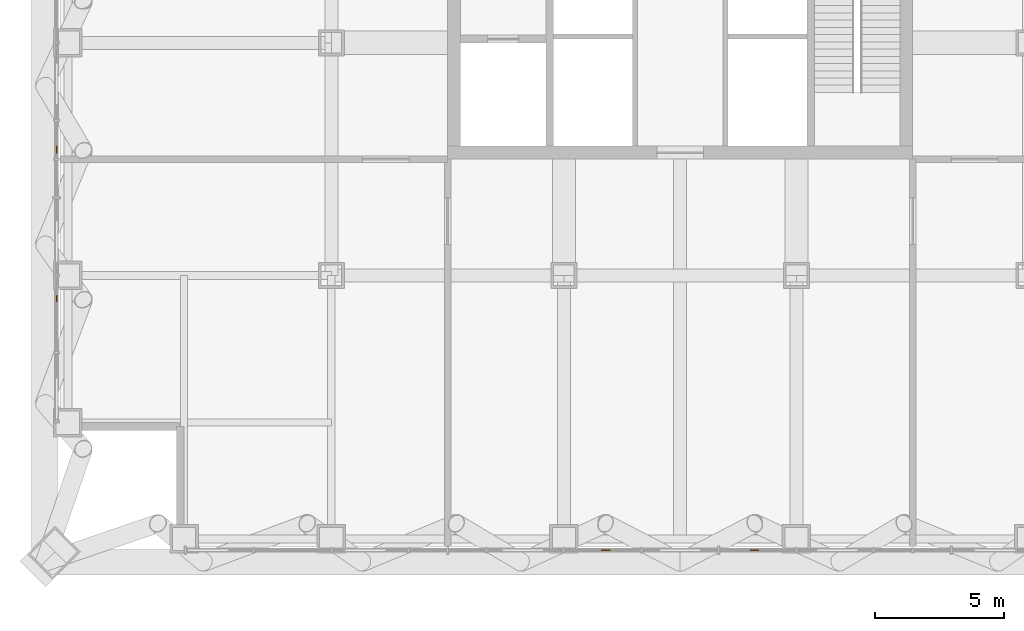
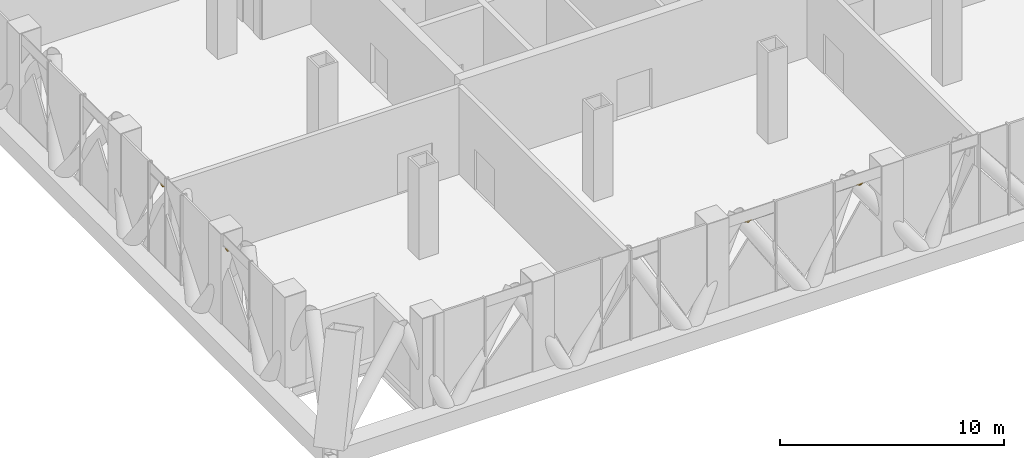
# One storey, part 21 of 29: 4 coverings.
"""IFC4 building model written with IfcOpenShell, lengths in metres."""

import ifcopenshell
import ifcopenshell.guid

model = None  # the IFC model being written
_history = None  # IfcOwnerHistory: only IFC2X3 demands one
_inside = {}  # id of a spatial element -> (the spatial element, [elements in it])
_under = {}  # id of a project, library or spatial element -> (it, [spatial elements below it])
_declared = {}  # id of a project -> (the project, [libraries it declares])
_typed = {}  # id of a type object -> (the type object, [elements of that type])
_made_of = {}  # id of a material, layer set ... -> (it, [elements and type objects made of it])


def new_model(schema):
    """Start an empty IFC model of exactly this schema.

    Asked for "IFC4X3", IfcOpenShell would pick the latest addendum, in which some entities
    have other attributes; the version numbers below select the first issue.
    IFC2X3 requires an IfcOwnerHistory on every rooted entity: one is made here for all.
    """
    global model, _history
    if schema == "IFC4X3":
        model = ifcopenshell.file(schema_version=(4, 3, 0, 0))
    else:
        model = ifcopenshell.file(schema=schema)
    _inside.clear()
    _under.clear()
    _declared.clear()
    _typed.clear()
    _made_of.clear()
    _history = None
    if model.schema == "IFC2X3":
        org = make("IfcOrganization", Name="unknown")
        user = make(
            "IfcPersonAndOrganization",
            ThePerson=make("IfcPerson", FamilyName="unknown"),
            TheOrganization=org,
        )
        app = make(
            "IfcApplication",
            ApplicationDeveloper=org,
            Version="unknown",
            ApplicationFullName="unknown",
            ApplicationIdentifier="unknown",
        )
        _history = make(
            "IfcOwnerHistory",
            OwningUser=user,
            OwningApplication=app,
            ChangeAction="ADDED",
            CreationDate=0,
        )
    return model


def make(cls, **values):
    """One entity of the class cls with the attributes given. An attribute that is None is left unset."""
    return model.create_entity(
        cls, **{name: value for name, value in values.items() if value is not None}
    )


def rooted(cls, **values):
    """An entity with a GlobalId (a new one), such as an element, a storey or a relation."""
    return make(cls, GlobalId=ifcopenshell.guid.new(), OwnerHistory=_history, **values)


def si_unit(unit_type, name, prefix=None):
    """IfcSIUnit, for example si_unit("LENGTHUNIT", "METRE", prefix="MILLI")."""
    return make("IfcSIUnit", UnitType=unit_type, Prefix=prefix, Name=name)


def assignment(units):
    """IfcUnitAssignment: the units of a project."""
    return None if units is None else make("IfcUnitAssignment", Units=units)


def point(xyz):
    """IfcCartesianPoint."""
    return None if xyz is None else make("IfcCartesianPoint", Coordinates=xyz)


def direction(xyz):
    """IfcDirection."""
    return None if xyz is None else make("IfcDirection", DirectionRatios=xyz)


def frame(location, z_axis=None, x_axis=None):
    """IfcAxis2Placement3D, a coordinate frame: its origin and axes. An axis left out is left unset."""
    return make(
        "IfcAxis2Placement3D",
        Location=point(location),
        Axis=direction(z_axis),
        RefDirection=direction(x_axis),
    )


def origin():
    """The frame at (0, 0, 0) with its axes left unset."""
    return frame((0.0, 0.0, 0.0))


def place(relative_to, where):
    """IfcLocalPlacement: puts the frame where relative to a parent placement (None: the world)."""
    return make(
        "IfcLocalPlacement", PlacementRelTo=relative_to, RelativePlacement=where
    )


def context(
    kind, dimensions, precision=None, world=None, true_north=None, identifier=None
):
    """IfcGeometricRepresentationContext, for example the 3D "Model" context."""
    return make(
        "IfcGeometricRepresentationContext",
        ContextIdentifier=identifier,
        ContextType=kind,
        CoordinateSpaceDimension=dimensions,
        Precision=precision,
        WorldCoordinateSystem=world,
        TrueNorth=true_north,
    )


def subcontext(parent, identifier, kind, view, scale=None):
    """IfcGeometricRepresentationSubContext, for example "Body" below "Model"."""
    return make(
        "IfcGeometricRepresentationSubContext",
        ContextIdentifier=identifier,
        ContextType=kind,
        ParentContext=parent,
        TargetScale=scale,
        TargetView=view,
    )


def project(units=None, contexts=None):
    """IfcProject with its units and contexts."""
    return rooted(
        "IfcProject",
        Name="project",
        RepresentationContexts=contexts,
        UnitsInContext=assignment(units),
    )


def spatial(cls, under=None, at=None, **own):
    """A site, building, storey or space (cls), placed at a placement, below another one or the project."""
    s = rooted(cls, ObjectPlacement=at, **own)
    if under is not None:
        _under.setdefault(under.id(), (under, []))[1].append(s)
    return s


def polyline(points):
    """IfcPolyline through the points."""
    return make("IfcPolyline", Points=[point(p) for p in points])


def outline(outer, holes=None, kind="AREA"):
    """IfcArbitraryClosedProfileDef: a profile drawn as a closed curve; with holes, ...WithVoids."""
    if holes is None:
        return make("IfcArbitraryClosedProfileDef", ProfileType=kind, OuterCurve=outer)
    return make(
        "IfcArbitraryProfileDefWithVoids",
        ProfileType=kind,
        OuterCurve=outer,
        InnerCurves=holes,
    )


def extrude(swept, where, along, depth):
    """IfcExtrudedAreaSolid: the profile swept, set in the frame where, extruded along a direction by depth."""
    return make(
        "IfcExtrudedAreaSolid",
        SweptArea=swept,
        Position=where,
        ExtrudedDirection=direction(along),
        Depth=depth,
    )


def shape(context_of_items, identifier, shape_type, items):
    """IfcShapeRepresentation: the items that make up one representation, for example the "Body"."""
    return make(
        "IfcShapeRepresentation",
        ContextOfItems=context_of_items,
        RepresentationIdentifier=identifier,
        RepresentationType=shape_type,
        Items=items,
    )


def material(Name=None, Category=None):
    """IfcMaterial."""
    return make("IfcMaterial", Name=Name, Category=Category)


def layer(
    of_material, thickness, ventilated=None, Name=None, Category=None, Priority=None
):
    """IfcMaterialLayer: one layer of a wall or slab, of a material (None: an air gap)."""
    return make(
        "IfcMaterialLayer",
        Material=of_material,
        LayerThickness=thickness,
        IsVentilated=ventilated,
        Name=Name,
        Category=Category,
        Priority=Priority,
    )


def layer_set(layers, Name=None):
    """IfcMaterialLayerSet."""
    return make("IfcMaterialLayerSet", MaterialLayers=layers, LayerSetName=Name)


def made_of(thing, what):
    """Note that an element or type object is made of a material, layer set ...; save() writes the relation."""
    if what is not None:
        _made_of.setdefault(what.id(), (what, []))[1].append(thing)
    return thing


def type_object(cls, material=None, **own):
    """A type object (cls), such as IfcWallType, which elements share."""
    return made_of(rooted(cls, **own), material)


def element(
    cls,
    number,
    at=None,
    inside=None,
    cuts=None,
    type_object=None,
    material=None,
    context=None,
    identifier="Body",
    shape_type=None,
    held_by="IfcProductDefinitionShape",
    body=None,
    shapes=None,
    **own,
):
    """One element of the class cls, such as IfcWall. Its Tag is "e" and its number.

    at: its placement. inside: the storey or other place that contains it. cuts: it is an
    opening in that element (IfcRelVoidsElement). A single representation is given by context,
    identifier, shape_type and body (its items); several are given by shapes. held_by: the class
    of the entity that holds the representations. save() writes the other relations.
    """
    e = rooted(cls, Tag="e%d" % number, ObjectPlacement=at, **own)
    if body is not None:
        shapes = [shape(context, identifier, shape_type, body)]
    if shapes is not None:
        e.Representation = make(held_by, Representations=shapes)
    if inside is not None:
        _inside.setdefault(inside.id(), (inside, []))[1].append(e)
    if cuts is not None:
        rooted(
            "IfcRelVoidsElement", RelatingBuildingElement=cuts, RelatedOpeningElement=e
        )
    if type_object is not None:
        _typed.setdefault(type_object.id(), (type_object, []))[1].append(e)
    return made_of(e, material)


def aggregate(whole, parts):
    """IfcRelAggregates: a whole, such as a stair, and the parts it consists of."""
    return rooted("IfcRelAggregates", RelatingObject=whole, RelatedObjects=parts)


def save(model, path):
    """Write the relations noted so far, then the file.

    IfcRelAggregates (storeys below a building ...), IfcRelContainedInSpatialStructure (elements
    in a storey), IfcRelDefinesByType, IfcRelAssociatesMaterial and IfcRelDeclares: one each for
    every whole, place, type object, material and project.
    """
    for whole, parts in _under.values():
        aggregate(whole, parts)
    for where, things in _inside.values():
        rooted(
            "IfcRelContainedInSpatialStructure",
            RelatedElements=things,
            RelatingStructure=where,
        )
    for kind, things in _typed.values():
        rooted("IfcRelDefinesByType", RelatedObjects=things, RelatingType=kind)
    for what, things in _made_of.values():
        rooted("IfcRelAssociatesMaterial", RelatedObjects=things, RelatingMaterial=what)
    for by, libraries in _declared.values():
        rooted("IfcRelDeclares", RelatingContext=by, RelatedDefinitions=libraries)
    model.write(path)


model = new_model("IFC4")

# Units and contexts
model_context = context("Model", 3, precision=1e-05, world=origin(), true_north=direction((0.0, 1.0)))
body_context = subcontext(model_context, "Body", "Model", "MODEL_VIEW")
ifc_project = project(units=[si_unit("LENGTHUNIT", "METRE"), si_unit("AREAUNIT", "SQUARE_METRE"), si_unit("VOLUMEUNIT", "CUBIC_METRE"), si_unit("PLANEANGLEUNIT", "RADIAN"), si_unit("MASSUNIT", "GRAM", prefix="KILO")], contexts=[model_context])

# Site, building, storey
site_placement = place(None, origin())
site = spatial("IfcSite", under=ifc_project, at=site_placement, CompositionType="ELEMENT")
building_placement = place(site_placement, origin())
building = spatial("IfcBuilding", under=site, at=building_placement, Name="Malebo Sky Hospital", CompositionType="ELEMENT")
storey_placement = place(building_placement, frame((0.0, 0.0, 172.0)))
storey = spatial("IfcBuildingStorey", under=building, at=storey_placement, Name="L41", CompositionType="ELEMENT", Elevation=172.0)

# Coverings
ifc_material = material(Name="Anodised aluminium, natural silver insulated infill panel", Category="aluminium")
ifc_layer = layer(ifc_material, 0.0400390625)
ifc_layer_set = layer_set([ifc_layer], Name="BRACE INFILL PANEL 40")
covering_type = type_object("IfcCoveringType", Name="BRACE INFILL PANEL 40", PredefinedType="CLADDING", material=ifc_layer_set)
covering_1_placement = place(storey_placement, frame((35.864990234375, 47.602783203125, 4.2919921875), z_axis=(0.0, 0.0, 1.0), x_axis=(0.0, 1.0, 0.0)))
element("IfcCovering", 1, at=covering_1_placement, inside=storey, type_object=covering_type, Name="Brace infill panel 2.4", PredefinedType="CLADDING", context=body_context, shape_type="SweptSolid", body=[
    extrude(outline(polyline([(-0.0322265625, 0.0), (0.122802734375, 0.060302734375), (-0.122802734375, 0.060302734375), (-0.0322265625, 0.0)])), frame((0.0, 0.02001953125, 0.0), z_axis=(0.0, -1.0, 0.0), x_axis=(1.0, 0.0, 0.0)), (0.0, 0.0, 1.0), 0.0400390625),
])
covering_2_placement = place(storey_placement, frame((35.864990234375, 53.365966796875, 4.29296875), z_axis=(0.0, 0.0, 1.0), x_axis=(0.0, 1.0, 0.0)))
element("IfcCovering", 2, at=covering_2_placement, inside=storey, type_object=covering_type, Name="Brace infill panel 5.3", PredefinedType="CLADDING", context=body_context, shape_type="SweptSolid", body=[
    extrude(outline(polyline([(-0.023681640625, 0.0), (0.1474609375, 0.074951171875), (-0.1474609375, 0.074951171875), (-0.023681640625, 0.0)])), frame((0.0, 0.02001953125, 0.0), z_axis=(0.0, -1.0, 0.0), x_axis=(1.0, 0.0, 0.0)), (0.0, 0.0, 1.0), 0.0400390625),
])
covering_3_placement = place(storey_placement, frame((62.87646484375, 37.864990234375, 4.29296875), z_axis=(0.0, 0.0, 1.0), x_axis=(-1.0, 0.0, 0.0)))
element("IfcCovering", 3, at=covering_3_placement, inside=storey, type_object=covering_type, Name="Brace infill panel 7.4", PredefinedType="CLADDING", context=body_context, shape_type="SweptSolid", body=[
    extrude(outline(polyline([(-0.00927734375, 0.0), (0.171875, 0.089111328125), (-0.171875, 0.089111328125), (-0.00927734375, 0.0)])), frame((0.0, 0.02001953125, 0.0), z_axis=(0.0, -1.0, 0.0), x_axis=(1.0, 0.0, 0.0)), (0.0, 0.0, 1.0), 0.0400390625),
])
covering_4_placement = place(storey_placement, frame((57.12353515625, 37.864990234375, 4.29296875), z_axis=(0.0, 0.0, 1.0), x_axis=(-1.0, 0.0, 0.0)))
element("IfcCovering", 4, at=covering_4_placement, inside=storey, type_object=covering_type, Name="Brace infill panel 9.4", PredefinedType="CLADDING", context=body_context, shape_type="SweptSolid", body=[
    extrude(outline(polyline([(0.00927734375, 0.0), (0.171875, 0.089111328125), (-0.171875, 0.089111328125), (0.00927734375, 0.0)])), frame((0.0, 0.02001953125, 0.0), z_axis=(0.0, -1.0, 0.0), x_axis=(1.0, 0.0, 0.0)), (0.0, 0.0, 1.0), 0.0400390625),
])

save(model, "model.ifc")
